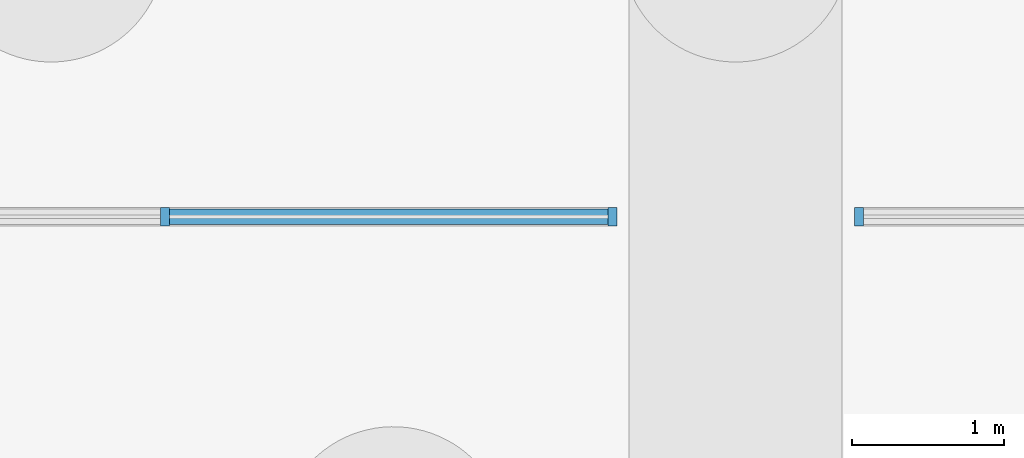
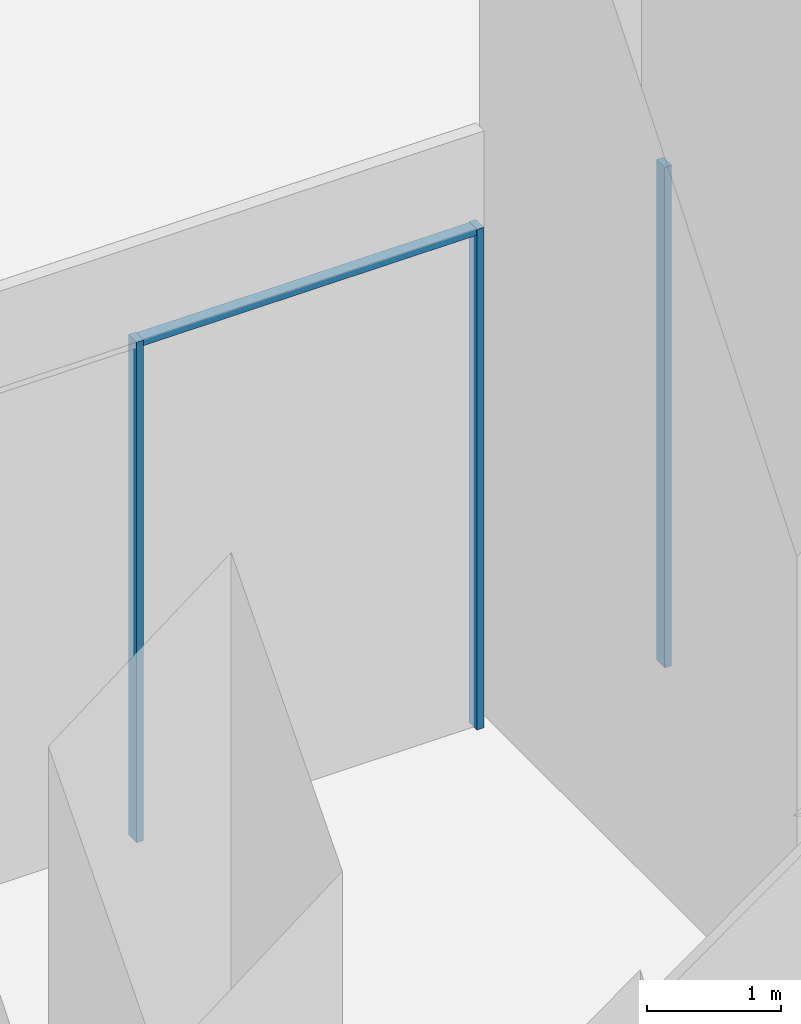
# One storey, part 14 of 46: 4 members, 2 elements without a shape of their own.
"""IFC4 building model written with IfcOpenShell, lengths in metres."""

from ifc_helpers import new_model, si_unit, direction, frame, origin, origin_2d, place, context, subcontext, project, spatial, rectangle, extrude, material, material_profile, profile_set, type_object, element, aggregate, save


model = new_model("IFC4")

# Units and contexts
model_context = context("Model", 3, precision=1e-05, world=origin(), true_north=direction((0.0, 1.0)))
body_context = subcontext(model_context, "Body", "Model", "MODEL_VIEW")
ifc_project = project(units=[si_unit("LENGTHUNIT", "METRE"), si_unit("AREAUNIT", "SQUARE_METRE"), si_unit("VOLUMEUNIT", "CUBIC_METRE"), si_unit("PLANEANGLEUNIT", "RADIAN"), si_unit("MASSUNIT", "GRAM", prefix="KILO")], contexts=[model_context])

# Site, building, storey
site_placement = place(None, origin())
site = spatial("IfcSite", under=ifc_project, at=site_placement, CompositionType="ELEMENT")
building_placement = place(site_placement, origin())
building = spatial("IfcBuilding", under=site, at=building_placement, Name="Mangrove Gate Tower", CompositionType="ELEMENT")
storey_placement = place(building_placement, origin())
storey = spatial("IfcBuildingStorey", under=building, at=storey_placement, Name="L00", CompositionType="ELEMENT", Elevation=0.0)

# Curtain wall, member
ifc_material_1 = material(Name="Aluminium and glass curtain wall", Category="aluminium")
curtain_wall_type = type_object("IfcCurtainWallType", Name="Podium shopfront glazing wall", PredefinedType="NOTDEFINED", material=ifc_material_1)
curtain_wall_1_placement = place(storey_placement, origin())
curtain_wall_1 = element("IfcCurtainWall", 1, at=curtain_wall_1_placement, inside=storey, type_object=curtain_wall_type, Name="Podium shopfront glazing N4014s1", PredefinedType="NOTDEFINED")
ifc_material_2 = material(Name="Aluminium alloy 6063-T6", Category="aluminium")
ifc_material_profile_1 = material_profile(ifc_material_2, rectangle(XDim=0.06005859375, YDim=0.1201171875, at=origin_2d()))
ifc_profile_set_1 = profile_set([ifc_material_profile_1], Name="Aluminium alloy 6063-T6")
member_type_1 = type_object("IfcMemberType", Name="Podium shopfront glazing mullion 60x120", PredefinedType="MULLION", material=ifc_profile_set_1)
member_1_placement = place(storey_placement, frame((0.81005859375, -25.14990234375, 0.0), z_axis=(0.0, 0.0, 1.0), x_axis=(-1.0, 0.0, 0.0)))
member_1 = element("IfcMember", 2, at=member_1_placement, type_object=member_type_1, Name="CWS mullion 3", PredefinedType="MULLION", context=body_context, shape_type="SweptSolid", body=[
    extrude(rectangle(XDim=0.06005859375, YDim=0.1201171875, at=origin_2d()), origin(), (0.0, 0.0, 1.0), 4.570068359375),
])
aggregate(curtain_wall_1, [member_1])

# Curtain wall, members
curtain_wall_2_placement = place(storey_placement, origin())
curtain_wall_2 = element("IfcCurtainWall", 3, at=curtain_wall_2_placement, inside=storey, type_object=curtain_wall_type, Name="Podium shopfront glazing N4015s1", PredefinedType="NOTDEFINED")
member_2_placement = place(storey_placement, frame((-0.81005859375, -25.14990234375, 0.0), z_axis=(0.0, 0.0, 1.0), x_axis=(-1.0, 0.0, 0.0)))
member_2 = element("IfcMember", 4, at=member_2_placement, type_object=member_type_1, Name="CWS mullion 1", PredefinedType="MULLION", context=body_context, shape_type="SweptSolid", body=[
    extrude(rectangle(XDim=0.06005859375, YDim=0.1201171875, at=origin_2d()), origin(), (0.0, 0.0, 1.0), 4.570068359375),
])
member_3_placement = place(storey_placement, frame((-3.75, -25.14990234375, 0.0), z_axis=(0.0, 0.0, 1.0), x_axis=(-1.0, 0.0, 0.0)))
member_3 = element("IfcMember", 5, at=member_3_placement, type_object=member_type_1, Name="CWS mullion 2", PredefinedType="MULLION", context=body_context, shape_type="SweptSolid", body=[
    extrude(rectangle(XDim=0.06005859375, YDim=0.1201171875, at=origin_2d()), origin(), (0.0, 0.0, 1.0), 4.570068359375),
])
ifc_material_3 = material(Name="Aluminium alloy 6063-T6", Category="aluminium")
ifc_material_profile_2 = material_profile(ifc_material_3, rectangle(XDim=0.06005859375, YDim=0.10009765625, at=origin_2d()))
ifc_profile_set_2 = profile_set([ifc_material_profile_2], Name="Aluminium alloy 6063-T6")
member_type_2 = type_object("IfcMemberType", Name="Podium shopfront glazing transom 60x100", PredefinedType="USERDEFINED", material=ifc_profile_set_2)
member_4_placement = place(storey_placement, frame((-0.840087890625, -25.14990234375, 4.5400390625), z_axis=(-1.0, 0.0, 0.0), x_axis=(0.0, 0.0, 1.0)))
member_4 = element("IfcMember", 6, at=member_4_placement, type_object=member_type_2, Name="CWS transom 1.2", ObjectType="TRANSOM", PredefinedType="USERDEFINED", context=body_context, shape_type="SweptSolid", body=[
    extrude(rectangle(XDim=0.06005859375, YDim=0.10009765625, at=origin_2d()), origin(), (0.0, 0.0, 1.0), 2.8798828125),
])
aggregate(curtain_wall_2, [member_2, member_3, member_4])

save(model, "model.ifc")
